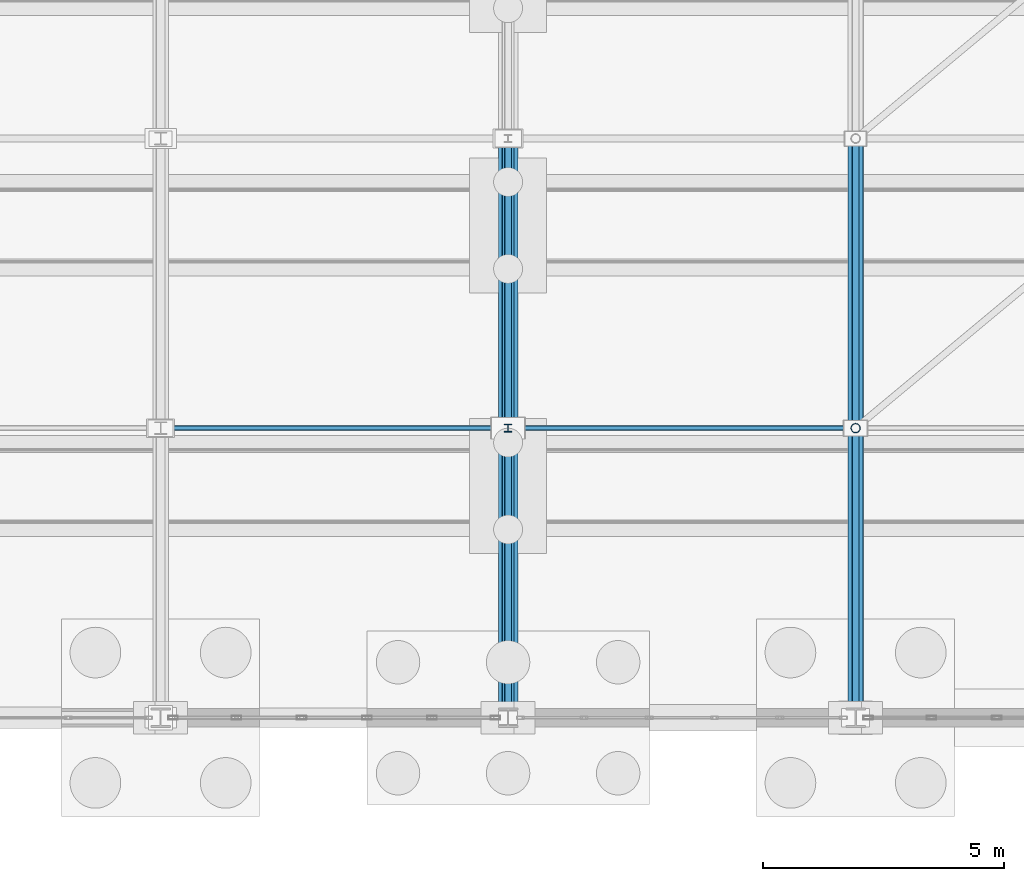
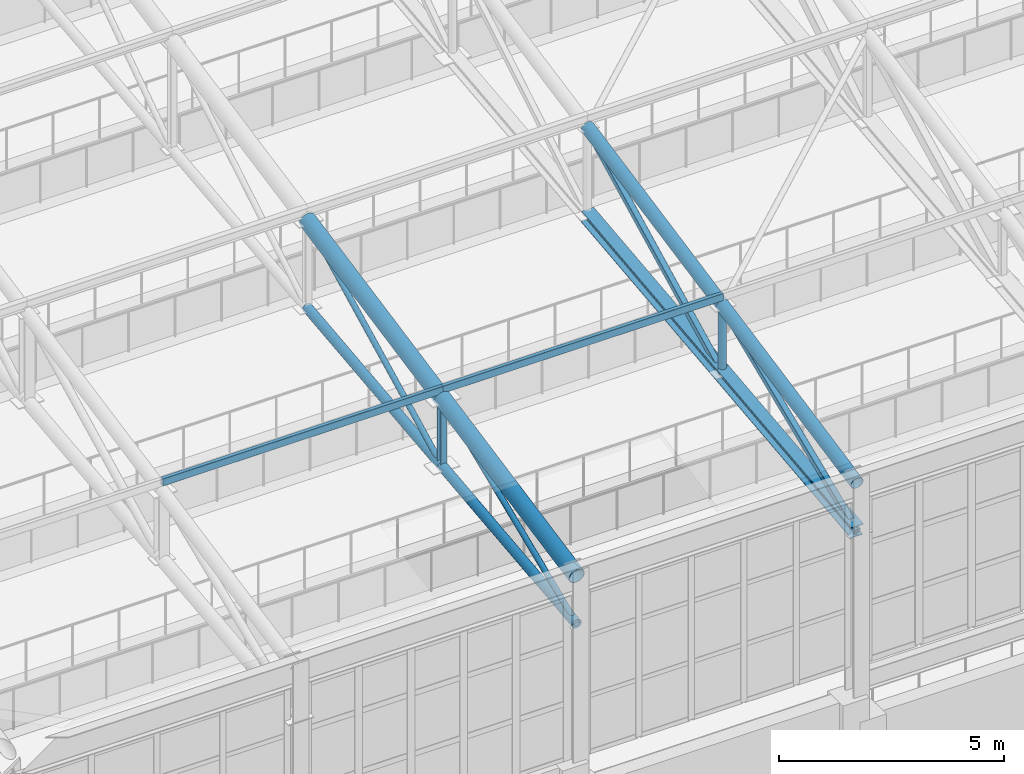
# One storey, part 134 of 293: 16 members.
"""IFC4 building model written with IfcOpenShell, lengths in metres."""

from ifc_helpers import new_model, si_unit, direction, frame, origin, origin_2d, place, context, subcontext, project, spatial, hollow_rectangle, hollow_circle, i_section, extrude, material, material_profile, profile_set, type_object, element, save


model = new_model("IFC4")

# Units and contexts
model_context = context("Model", 3, precision=1e-05, world=origin(), true_north=direction((0.0, 1.0)))
body_context = subcontext(model_context, "Body", "Model", "MODEL_VIEW")
ifc_project = project(units=[si_unit("LENGTHUNIT", "METRE"), si_unit("AREAUNIT", "SQUARE_METRE"), si_unit("VOLUMEUNIT", "CUBIC_METRE"), si_unit("PLANEANGLEUNIT", "RADIAN"), si_unit("MASSUNIT", "GRAM", prefix="KILO")], contexts=[model_context])

# Site, building, storey
site_placement = place(None, origin())
site = spatial("IfcSite", under=ifc_project, at=site_placement, CompositionType="ELEMENT")
building_placement = place(site_placement, origin())
building = spatial("IfcBuilding", under=site, at=building_placement, Name="Kemerveld Promenade Tramway Depot", CompositionType="ELEMENT")
storey_placement = place(building_placement, origin())
storey = spatial("IfcBuildingStorey", under=building, at=storey_placement, Name="L00", CompositionType="ELEMENT", Elevation=0.0)

# Members
ifc_material = material(Name="Steel S355", Category="steel")
ifc_material_profile_1 = material_profile(ifc_material, i_section(OverallWidth=0.154296875, OverallDepth=0.161865234375, WebThickness=0.008056640625, FlangeThickness=0.011474609375, FilletRadius=0.007568359375, at=origin_2d()), Name="152x152x37 UC")
ifc_profile_set_1 = profile_set([ifc_material_profile_1], Name="Steel S355")
member_type_1 = type_object("IfcMemberType", Name="MB-M05", PredefinedType="POST", material=ifc_profile_set_1)
member_1_placement = place(storey_placement, frame((100.800048828125, 90.0, 10.4599609375), z_axis=(0.0, 0.0, 1.0), x_axis=(1.0, 0.0, 0.0)))
element("IfcMember", 1, at=member_1_placement, inside=storey, type_object=member_type_1, Name="TR-15-VT-01", PredefinedType="POST", context=body_context, shape_type="SweptSolid", body=[
    extrude(i_section(OverallWidth=0.154296875, OverallDepth=0.161865234375, WebThickness=0.008056640625, FlangeThickness=0.011474609375, FilletRadius=0.007568359375, at=origin_2d()), origin(), (0.0, 0.0, 1.0), 1.840087890625),
])
ifc_material_profile_2 = material_profile(ifc_material, hollow_rectangle(XDim=0.10009765625, YDim=0.199951171875, WallThickness=0.008056640625, InnerFilletRadius=0.00390625, OuterFilletRadius=0.011962890625, at=origin_2d()), Name="200x100x8.0 RHS")
ifc_profile_set_2 = profile_set([ifc_material_profile_2], Name="Steel S355")
member_type_2 = type_object("IfcMemberType", Name="MB-PR2", PredefinedType="PURLIN", material=ifc_profile_set_2)
for number, where, z_axis, x_axis, name in (
    (2, (93.60009765625, 90.0, 12.544921875), (1.0, 0.0, 0.0), (0.0, 1.0, 0.0), "PUR-V1-01-14"),
    (3, (100.800048828125, 90.0, 12.544921875), (1.0, 0.0, 0.0), (0.0, 1.0, 0.0), "PUR-V1-01-15"),
):
    element("IfcMember", number, at=place(storey_placement, frame(where, z_axis=z_axis, x_axis=x_axis)), inside=storey, type_object=member_type_2, Name=name, PredefinedType="PURLIN", context=body_context, shape_type="SweptSolid", body=[
        extrude(hollow_rectangle(XDim=0.10009765625, YDim=0.199951171875, WallThickness=0.008056640625, InnerFilletRadius=0.00390625, OuterFilletRadius=0.011962890625, at=origin_2d()), origin(), (0.0, 0.0, 1.0), 7.199951171875),
    ])
ifc_material_profile_3 = material_profile(ifc_material, hollow_circle(Radius=0.06982421875, WallThickness=0.00634765625, at=origin_2d()), Name="139.7x6.3 CHS")
ifc_profile_set_3 = profile_set([ifc_material_profile_3], Name="Steel S355")
member_type_3 = type_object("IfcMemberType", Name="MB-TB3", PredefinedType="BRACE", material=ifc_profile_set_3)
member_2_placement = place(storey_placement, frame((100.800048828125, 84.0, 9.800048828125), z_axis=(0.0, 0.923076923077, 0.384615384615), x_axis=(-1.0, 0.0, 0.0)))
element("IfcMember", 4, at=member_2_placement, inside=storey, type_object=member_type_3, Name="TR-15-DG-01", PredefinedType="BRACE", context=body_context, shape_type="SweptSolid", body=[
    extrude(hollow_circle(Radius=0.06982421875, WallThickness=0.00634765625, at=origin_2d()), origin(), (0.0, 0.0, 1.0), 6.5),
])
member_3_placement = place(storey_placement, frame((100.800048828125, 90.0, 10.4599609375), z_axis=(0.0, 0.892033434612, 0.451969414379), x_axis=(-1.0, 0.0, 0.0)))
element("IfcMember", 5, at=member_3_placement, inside=storey, type_object=member_type_3, Name="TR-15-DG-02", PredefinedType="BRACE", context=body_context, shape_type="SweptSolid", body=[
    extrude(hollow_circle(Radius=0.06982421875, WallThickness=0.00634765625, at=origin_2d()), origin(), (0.0, 0.0, 1.0), 6.726318359375),
])
ifc_material_profile_4 = material_profile(ifc_material, hollow_rectangle(XDim=0.14990234375, YDim=0.14990234375, WallThickness=0.008056640625, InnerFilletRadius=0.00390625, OuterFilletRadius=0.011962890625, at=origin_2d()), Name="150x150x8.0 SHS")
ifc_profile_set_4 = profile_set([ifc_material_profile_4], Name="Steel S355")
member_type_4 = type_object("IfcMemberType", Name="MB-TB4", PredefinedType="BRACE", material=ifc_profile_set_4)
member_4_placement = place(storey_placement, frame((108.0, 84.0, 9.800048828125), z_axis=(0.0, 0.923076923077, 0.384615384615), x_axis=(-1.0, 0.0, 0.0)))
element("IfcMember", 6, at=member_4_placement, inside=storey, type_object=member_type_4, Name="TR-16-DG-01", PredefinedType="BRACE", context=body_context, shape_type="SweptSolid", body=[
    extrude(hollow_rectangle(XDim=0.14990234375, YDim=0.14990234375, WallThickness=0.008056640625, InnerFilletRadius=0.00390625, OuterFilletRadius=0.011962890625, at=origin_2d()), origin(), (0.0, 0.0, 1.0), 6.5),
])
member_5_placement = place(storey_placement, frame((108.0, 90.0, 10.4599609375), z_axis=(0.0, 0.892033434612, 0.451969414379), x_axis=(-1.0, 0.0, 0.0)))
element("IfcMember", 7, at=member_5_placement, inside=storey, type_object=member_type_4, Name="TR-16-DG-02", PredefinedType="BRACE", context=body_context, shape_type="SweptSolid", body=[
    extrude(hollow_rectangle(XDim=0.14990234375, YDim=0.14990234375, WallThickness=0.008056640625, InnerFilletRadius=0.00390625, OuterFilletRadius=0.011962890625, at=origin_2d()), origin(), (0.0, 0.0, 1.0), 6.726318359375),
])
ifc_material_profile_5 = material_profile(ifc_material, hollow_circle(Radius=0.203125, WallThickness=0.01611328125, at=origin_2d()), Name="406.4x16.0 CHS")
ifc_profile_set_5 = profile_set([ifc_material_profile_5], Name="Steel S355")
member_type_5 = type_object("IfcMemberType", Name="MB-TC1", PredefinedType="CHORD", material=ifc_profile_set_5)
for number, where, z_axis, x_axis, name in (
    (8, (100.800048828125, 84.0, 11.10009765625), (0.0, 0.980582210276, 0.196108462057), (-1.0, 0.0, 0.0), "TR-15-TC-01"),
    (9, (100.800048828125, 90.0, 12.300048828125), (0.0, 0.980582210276, 0.196108462057), (-1.0, 0.0, 0.0), "TR-15-TC-02"),
):
    element("IfcMember", number, at=place(storey_placement, frame(where, z_axis=z_axis, x_axis=x_axis)), inside=storey, type_object=member_type_5, Name=name, PredefinedType="CHORD", context=body_context, shape_type="SweptSolid", body=[
        extrude(hollow_circle(Radius=0.203125, WallThickness=0.01611328125, at=origin_2d()), origin(), (0.0, 0.0, 1.0), 6.118896484375),
    ])
ifc_material_profile_6 = material_profile(ifc_material, hollow_circle(Radius=0.161865234375, WallThickness=0.012451171875, at=origin_2d()), Name="323.9x12.5 CHS")
ifc_profile_set_6 = profile_set([ifc_material_profile_6], Name="Steel S355")
member_type_6 = type_object("IfcMemberType", Name="MB-TC2", PredefinedType="CHORD", material=ifc_profile_set_6)
for number, where, z_axis, x_axis, name in (
    (10, (108.0, 84.0, 11.10009765625), (0.0, 0.980582210276, 0.196108462057), (-1.0, 0.0, 0.0), "TR-16-TC-01"),
    (11, (108.0, 90.0, 12.300048828125), (0.0, 0.980582210276, 0.196108462057), (-1.0, 0.0, 0.0), "TR-16-TC-02"),
):
    element("IfcMember", number, at=place(storey_placement, frame(where, z_axis=z_axis, x_axis=x_axis)), inside=storey, type_object=member_type_6, Name=name, PredefinedType="CHORD", context=body_context, shape_type="SweptSolid", body=[
        extrude(hollow_circle(Radius=0.161865234375, WallThickness=0.012451171875, at=origin_2d()), origin(), (0.0, 0.0, 1.0), 6.118896484375),
    ])
ifc_material_profile_7 = material_profile(ifc_material, hollow_circle(Radius=0.122314453125, WallThickness=0.010009765625, at=origin_2d()), Name="244.5x10.0 CHS")
ifc_profile_set_7 = profile_set([ifc_material_profile_7], Name="Steel S355")
member_type_7 = type_object("IfcMemberType", Name="MB-TC3", PredefinedType="CHORD", material=ifc_profile_set_7)
for number, where, z_axis, x_axis, name in (
    (12, (100.800048828125, 84.0, 9.800048828125), (0.0, 0.994005938353, 0.109326092585), (-1.0, 0.0, 0.0), "TR-15-BC-01"),
    (13, (100.800048828125, 90.0, 10.4599609375), (0.0, 0.994001542248, 0.109366055104), (-1.0, 0.0, 0.0), "TR-15-BC-02"),
):
    element("IfcMember", number, at=place(storey_placement, frame(where, z_axis=z_axis, x_axis=x_axis)), inside=storey, type_object=member_type_7, Name=name, PredefinedType="CHORD", context=body_context, shape_type="SweptSolid", body=[
        extrude(hollow_circle(Radius=0.122314453125, WallThickness=0.010009765625, at=origin_2d()), origin(), (0.0, 0.0, 1.0), 6.0361328125),
    ])
ifc_material_profile_8 = material_profile(ifc_material, i_section(OverallWidth=0.307373046875, OverallDepth=0.314453125, WebThickness=0.011962890625, FlangeThickness=0.018798828125, FilletRadius=0.01513671875, at=origin_2d()), Name="305x305x118 UC")
ifc_profile_set_8 = profile_set([ifc_material_profile_8], Name="Steel S355")
member_type_8 = type_object("IfcMemberType", Name="MB-TC4", PredefinedType="CHORD", material=ifc_profile_set_8)
for number, where, z_axis, x_axis, name in (
    (14, (108.0, 84.0, 9.800048828125), (0.0, 0.994005938353, 0.109326092585), (-1.0, 0.0, 0.0), "TR-16-BC-01"),
    (15, (108.0, 90.0, 10.4599609375), (0.0, 0.994001542248, 0.109366055104), (-1.0, 0.0, 0.0), "TR-16-BC-02"),
):
    element("IfcMember", number, at=place(storey_placement, frame(where, z_axis=z_axis, x_axis=x_axis)), inside=storey, type_object=member_type_8, Name=name, PredefinedType="CHORD", context=body_context, shape_type="SweptSolid", body=[
        extrude(i_section(OverallWidth=0.307373046875, OverallDepth=0.314453125, WebThickness=0.011962890625, FlangeThickness=0.018798828125, FilletRadius=0.01513671875, at=origin_2d()), origin(), (0.0, 0.0, 1.0), 6.0361328125),
    ])
ifc_material_profile_9 = material_profile(ifc_material, hollow_circle(Radius=0.096923828125, WallThickness=0.008056640625, at=origin_2d()), Name="193.7x8.0 CHS")
ifc_profile_set_9 = profile_set([ifc_material_profile_9], Name="Steel S355")
member_type_9 = type_object("IfcMemberType", Name="MB-TP1", PredefinedType="POST", material=ifc_profile_set_9)
member_6_placement = place(storey_placement, frame((108.0, 90.0, 10.4599609375), z_axis=(0.0, 0.0, 1.0), x_axis=(1.0, 0.0, 0.0)))
element("IfcMember", 16, at=member_6_placement, inside=storey, type_object=member_type_9, Name="TR-16-VT-01", PredefinedType="POST", context=body_context, shape_type="SweptSolid", body=[
    extrude(hollow_circle(Radius=0.096923828125, WallThickness=0.008056640625, at=origin_2d()), origin(), (0.0, 0.0, 1.0), 1.840087890625),
])

save(model, "model.ifc")
